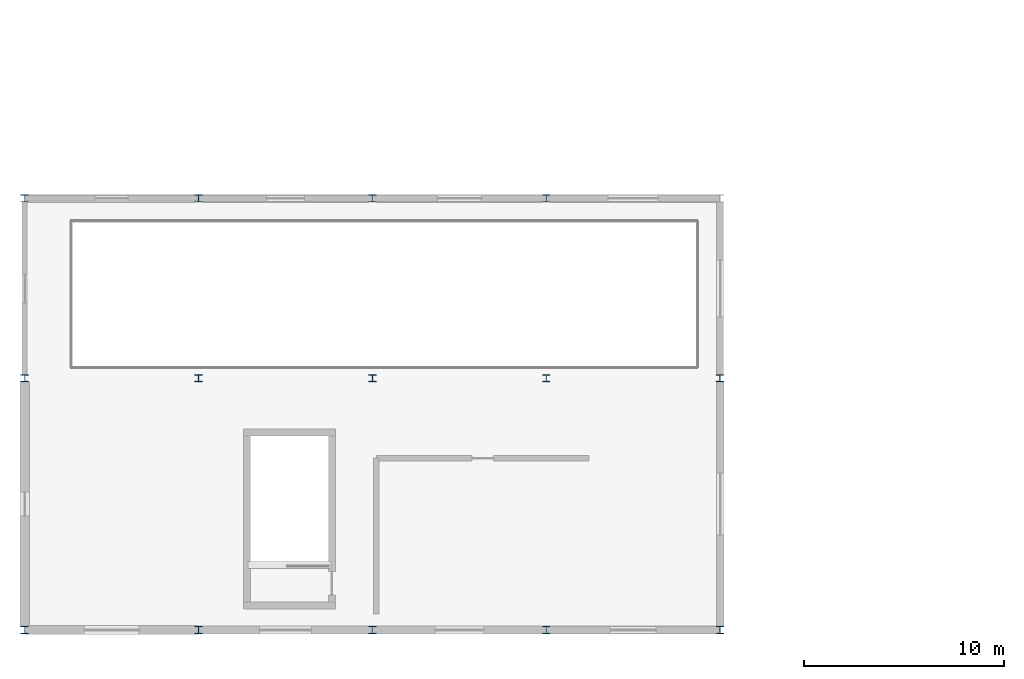
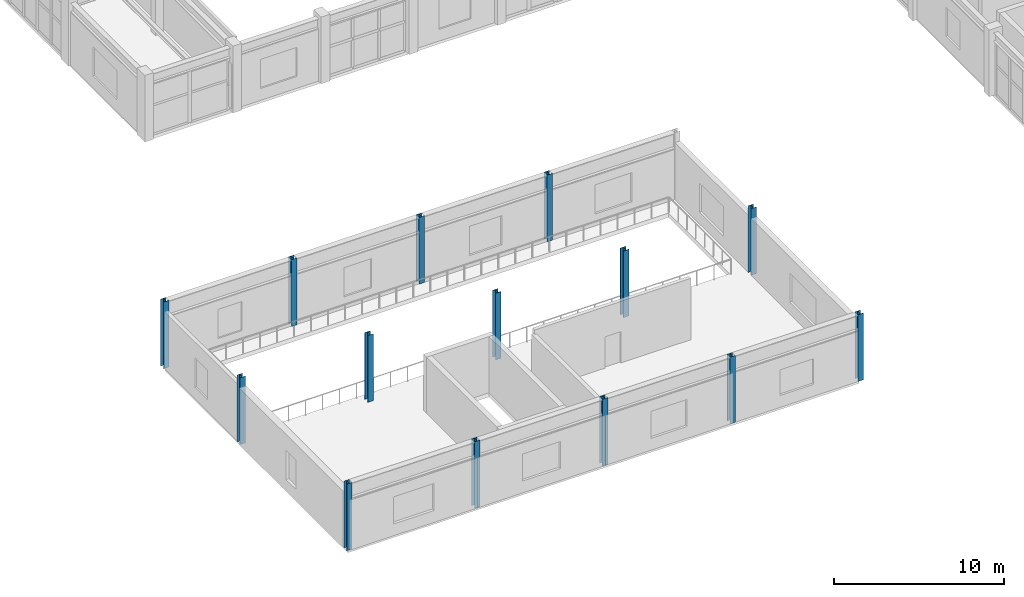
# One storey, part 1 of 96: 14 columns.
"""IFC4 building model written with IfcOpenShell, lengths in metres."""

from ifc_helpers import new_model, si_unit, direction, frame, origin, origin_2d, place, context, subcontext, project, spatial, i_section, extrude, material, material_profile, profile_set, type_object, element, save


model = new_model("IFC4")

# Units and contexts
model_context = context("Model", 3, precision=1e-05, world=origin(), true_north=direction((0.0, 1.0)))
body_context = subcontext(model_context, "Body", "Model", "MODEL_VIEW")
ifc_project = project(units=[si_unit("LENGTHUNIT", "METRE"), si_unit("AREAUNIT", "SQUARE_METRE"), si_unit("VOLUMEUNIT", "CUBIC_METRE"), si_unit("PLANEANGLEUNIT", "RADIAN"), si_unit("MASSUNIT", "GRAM", prefix="KILO")], contexts=[model_context])

# Site, building, storey
site_placement = place(None, origin())
site = spatial("IfcSite", under=ifc_project, at=site_placement, CompositionType="ELEMENT")
building_placement = place(site_placement, origin())
building = spatial("IfcBuilding", under=site, at=building_placement, Name="Vaelkrest Opera House", CompositionType="ELEMENT")
storey_placement = place(building_placement, frame((0.0, 0.0, 5.39990234375)))
storey = spatial("IfcBuildingStorey", under=building, at=storey_placement, Name="L01", CompositionType="ELEMENT", Elevation=5.39990234375)

# Columns
ifc_material = material(Name="Steel A992 Gr50", Category="steel")
ifc_material_profile_1 = material_profile(ifc_material, i_section(OverallWidth=0.3740234375, OverallDepth=0.3720703125, WebThickness=0.016357421875, FlangeThickness=0.026123046875, at=origin_2d()), Name="W14X132")
ifc_profile_set_1 = profile_set([ifc_material_profile_1], Name="Steel A992 Gr50")
column_type_1 = type_object("IfcColumnType", Name="C11", PredefinedType="COLUMN", material=ifc_profile_set_1)
for number, where, z_axis, x_axis, name in (
    (1, (-77.699951171875, -46.800048828125, 0.0), (0.0, 0.0, 1.0), (1.0, 0.0, 0.0), "Column COL-V5-L01-1447"),
    (2, (-69.0, -46.800048828125, 0.0), (0.0, 0.0, 1.0), (1.0, 0.0, 0.0), "Column COL-V5-L01-1450"),
    (3, (-60.300048828125, -46.800048828125, 0.0), (0.0, 0.0, 1.0), (1.0, 0.0, 0.0), "Column COL-V5-L01-1453"),
):
    element("IfcColumn", number, at=place(storey_placement, frame(where, z_axis=z_axis, x_axis=x_axis)), inside=storey, type_object=column_type_1, Name=name, PredefinedType="COLUMN", context=body_context, shape_type="SweptSolid", body=[
        extrude(i_section(OverallWidth=0.3740234375, OverallDepth=0.3720703125, WebThickness=0.016357421875, FlangeThickness=0.026123046875, at=origin_2d()), origin(), (0.0, 0.0, 1.0), 4.800048828125),
    ])
ifc_material_profile_2 = material_profile(ifc_material, i_section(OverallWidth=0.3701171875, OverallDepth=0.360107421875, WebThickness=0.01220703125, FlangeThickness=0.019775390625, at=origin_2d()), Name="W14X99")
ifc_profile_set_2 = profile_set([ifc_material_profile_2], Name="Steel A992 Gr50")
column_type_2 = type_object("IfcColumnType", Name="C15", PredefinedType="COLUMN", material=ifc_profile_set_2)
for number, where, z_axis, x_axis, name in (
    (4, (-86.39990234375, -59.39990234375, 0.0), (0.0, 0.0, 1.0), (1.0, 0.0, 0.0), "Column COL-V5-L01-1443"),
    (5, (-86.39990234375, -46.800048828125, 0.0), (0.0, 0.0, 1.0), (1.0, 0.0, 0.0), "Column COL-V5-L01-1444"),
    (6, (-86.39990234375, -37.800048828125, 0.0), (0.0, 0.0, 1.0), (1.0, 0.0, 0.0), "Column COL-V5-L01-1445"),
    (7, (-77.699951171875, -59.39990234375, 0.0), (0.0, 0.0, 1.0), (1.0, 0.0, 0.0), "Column COL-V5-L01-1446"),
    (8, (-77.699951171875, -37.800048828125, 0.0), (0.0, 0.0, 1.0), (1.0, 0.0, 0.0), "Column COL-V5-L01-1448"),
    (9, (-69.0, -59.39990234375, 0.0), (0.0, 0.0, 1.0), (1.0, 0.0, 0.0), "Column COL-V5-L01-1449"),
    (10, (-69.0, -37.800048828125, 0.0), (0.0, 0.0, 1.0), (1.0, 0.0, 0.0), "Column COL-V5-L01-1451"),
    (11, (-60.300048828125, -59.39990234375, 0.0), (0.0, 0.0, 1.0), (1.0, 0.0, 0.0), "Column COL-V5-L01-1452"),
    (12, (-60.300048828125, -37.800048828125, 0.0), (0.0, 0.0, 1.0), (1.0, 0.0, 0.0), "Column COL-V5-L01-1454"),
    (13, (-51.60009765625, -59.39990234375, 0.0), (0.0, 0.0, 1.0), (1.0, 0.0, 0.0), "Column COL-V5-L01-1455"),
    (14, (-51.60009765625, -46.800048828125, 0.0), (0.0, 0.0, 1.0), (1.0, 0.0, 0.0), "Column COL-V5-L01-1456"),
):
    element("IfcColumn", number, at=place(storey_placement, frame(where, z_axis=z_axis, x_axis=x_axis)), inside=storey, type_object=column_type_2, Name=name, PredefinedType="COLUMN", context=body_context, shape_type="SweptSolid", body=[
        extrude(i_section(OverallWidth=0.3701171875, OverallDepth=0.360107421875, WebThickness=0.01220703125, FlangeThickness=0.019775390625, at=origin_2d()), origin(), (0.0, 0.0, 1.0), 4.800048828125),
    ])

save(model, "model.ifc")
